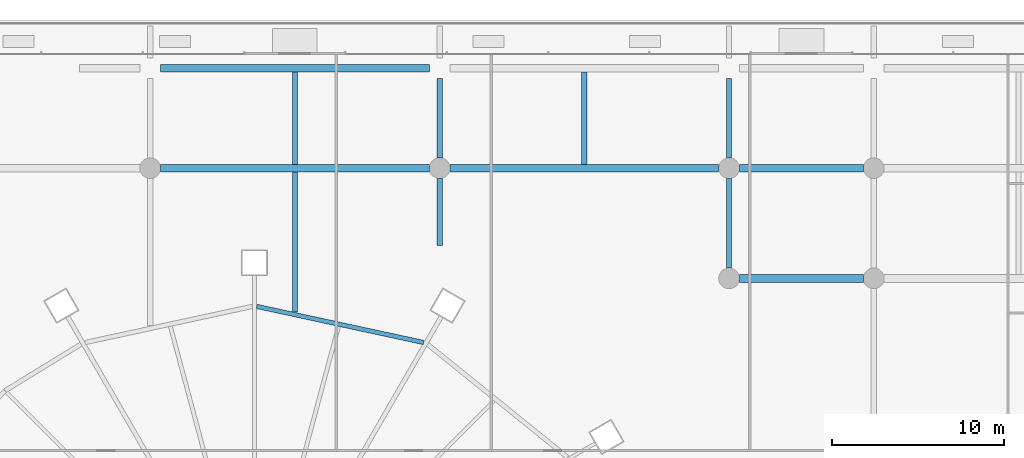
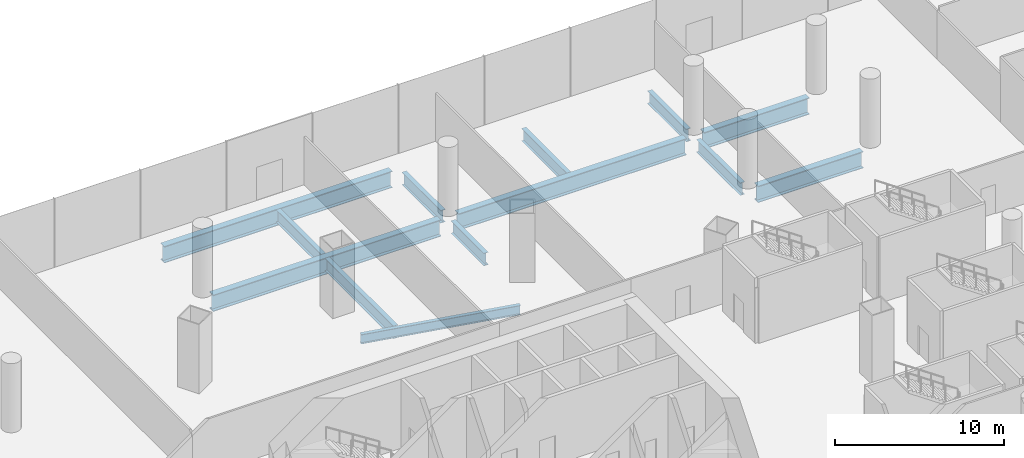
# One storey, part 24 of 51: 13 beams.
"""IFC4 building model written with IfcOpenShell, lengths in metres."""

from ifc_helpers import new_model, si_unit, direction, frame, origin, origin_2d, place, context, subcontext, project, spatial, i_section, extrude, material, material_profile, profile_set, type_object, element, save


model = new_model("IFC4")

# Units and contexts
model_context = context("Model", 3, precision=1e-05, world=origin(), true_north=direction((0.0, 1.0)))
body_context = subcontext(model_context, "Body", "Model", "MODEL_VIEW")
ifc_project = project(units=[si_unit("LENGTHUNIT", "METRE"), si_unit("AREAUNIT", "SQUARE_METRE"), si_unit("VOLUMEUNIT", "CUBIC_METRE"), si_unit("PLANEANGLEUNIT", "RADIAN"), si_unit("MASSUNIT", "GRAM", prefix="KILO")], contexts=[model_context])

# Site, building, storey
site_placement = place(None, origin())
site = spatial("IfcSite", under=ifc_project, at=site_placement, CompositionType="ELEMENT")
building_placement = place(site_placement, origin())
building = spatial("IfcBuilding", under=site, at=building_placement, Name="Rimbun Link Towers", CompositionType="ELEMENT")
storey_placement = place(building_placement, frame((0.0, 0.0, 7.0)))
storey = spatial("IfcBuildingStorey", under=building, at=storey_placement, Name="L01", CompositionType="ELEMENT", Elevation=7.0)

# Beams
ifc_material_1 = material(Name="Steel S355J2", Category="steel")
ifc_material_profile_1 = material_profile(ifc_material_1, i_section(OverallWidth=0.449951171875, OverallDepth=1.199951171875, WebThickness=0.030029296875, FlangeThickness=0.044921875, at=origin_2d()), Name="PG 1200x450x30/45")
ifc_profile_set_1 = profile_set([ifc_material_profile_1], Name="Steel S355J2")
beam_type_1 = type_object("IfcBeamType", Name="PG 1200x450x30/45", PredefinedType="BEAM", material=ifc_profile_set_1)
beam_1_placement = place(storey_placement, frame((-3.60009765625, 21.0, -0.89990234375), z_axis=(1.0, 0.0, 0.0), x_axis=(0.0, 1.0, 0.0)))
element("IfcBeam", 1, at=beam_1_placement, inside=storey, type_object=beam_type_1, Name="Grid beam L01 +21.0", PredefinedType="BEAM", context=body_context, shape_type="SweptSolid", body=[
    extrude(i_section(OverallWidth=0.449951171875, OverallDepth=1.199951171875, WebThickness=0.030029296875, FlangeThickness=0.044921875, at=origin_2d()), origin(), (0.0, 0.0, 1.0), 7.2001953125),
])
for number, where, z_axis, x_axis, name in (
    (2, (-37.199951171875, 27.39990234375, -0.89990234375), (1.0, 0.0, 0.0), (0.0, 1.0, 0.0), "Grid beam L01 +27.4"),
    (3, (-20.39990234375, 27.39990234375, -0.89990234375), (1.0, 0.0, 0.0), (0.0, 1.0, 0.0), "Grid beam L01 +27.4"),
):
    element("IfcBeam", number, at=place(storey_placement, frame(where, z_axis=z_axis, x_axis=x_axis)), inside=storey, type_object=beam_type_1, Name=name, PredefinedType="BEAM", context=body_context, shape_type="SweptSolid", body=[
        extrude(i_section(OverallWidth=0.449951171875, OverallDepth=1.199951171875, WebThickness=0.030029296875, FlangeThickness=0.044921875, at=origin_2d()), origin(), (0.0, 0.0, 1.0), 15.599853515625),
    ])
beam_2_placement = place(storey_placement, frame((-3.60009765625, 27.39990234375, -0.89990234375), z_axis=(1.0, 0.0, 0.0), x_axis=(0.0, 1.0, 0.0)))
element("IfcBeam", 4, at=beam_2_placement, inside=storey, type_object=beam_type_1, Name="Grid beam L01 +27.4", PredefinedType="BEAM", context=body_context, shape_type="SweptSolid", body=[
    extrude(i_section(OverallWidth=0.449951171875, OverallDepth=1.199951171875, WebThickness=0.030029296875, FlangeThickness=0.044921875, at=origin_2d()), origin(), (0.0, 0.0, 1.0), 7.2001953125),
])
beam_3_placement = place(storey_placement, frame((-37.199951171875, 33.199951171875, -0.89990234375), z_axis=(1.0, 0.0, 0.0), x_axis=(0.0, 1.0, 0.0)))
element("IfcBeam", 5, at=beam_3_placement, inside=storey, type_object=beam_type_1, Name="Grid beam L01 +33.2", PredefinedType="BEAM", context=body_context, shape_type="SweptSolid", body=[
    extrude(i_section(OverallWidth=0.449951171875, OverallDepth=1.199951171875, WebThickness=0.030029296875, FlangeThickness=0.044921875, at=origin_2d()), origin(), (0.0, 0.0, 1.0), 15.599853515625),
])
ifc_material_2 = material(Name="Steel S355J2", Category="steel")
ifc_material_profile_2 = material_profile(ifc_material_2, i_section(OverallWidth=0.253662109375, OverallDepth=0.68359375, WebThickness=0.012451171875, FlangeThickness=0.01904296875, at=origin_2d()), Name="UB 686x254x140")
ifc_profile_set_2 = profile_set([ifc_material_profile_2], Name="Steel S355J2")
beam_type_2 = type_object("IfcBeamType", Name="UB 686x254x140", PredefinedType="BEAM", material=ifc_profile_set_2)
beam_4_placement = place(storey_placement, frame((-21.922607421875, 17.27685546875, -0.641845703125), z_axis=(-0.977390124833, 0.211443949734, 0.0), x_axis=(-0.211443949734, -0.977390124833, 0.0)))
element("IfcBeam", 6, at=beam_4_placement, inside=storey, type_object=beam_type_2, Name="Edge beam T1 L01 04-06", PredefinedType="BEAM", context=body_context, shape_type="SweptSolid", body=[
    extrude(i_section(OverallWidth=0.253662109375, OverallDepth=0.68359375, WebThickness=0.012451171875, FlangeThickness=0.01904296875, at=origin_2d()), origin(), (0.0, 0.0, 1.0), 9.924072265625),
])
ifc_material_3 = material(Name="Steel S355J2", Category="steel")
ifc_material_profile_3 = material_profile(ifc_material_3, i_section(OverallWidth=0.305419921875, OverallDepth=0.91845703125, WebThickness=0.017333984375, FlangeThickness=0.02783203125, at=origin_2d()), Name="UB 914x305x253")
ifc_profile_set_3 = profile_set([ifc_material_profile_3], Name="Steel S355J2")
beam_type_3 = type_object("IfcBeamType", Name="UB 914x305x253", PredefinedType="BEAM", material=ifc_profile_set_3)
beam_5_placement = place(storey_placement, frame((-29.39990234375, 19.058349609375, -0.75927734375), z_axis=(0.0, 1.0, 0.0), x_axis=(-1.0, 0.0, 0.0)))
element("IfcBeam", 7, at=beam_5_placement, inside=storey, type_object=beam_type_3, Name="Grid beam L01 -29.4", PredefinedType="BEAM", context=body_context, shape_type="SweptSolid", body=[
    extrude(i_section(OverallWidth=0.305419921875, OverallDepth=0.91845703125, WebThickness=0.017333984375, FlangeThickness=0.02783203125, at=origin_2d()), origin(), (0.0, 0.0, 1.0), 8.11669921875),
])
beam_6_placement = place(storey_placement, frame((-29.39990234375, 27.625, -0.75927734375), z_axis=(0.0, 1.0, 0.0), x_axis=(-1.0, 0.0, 0.0)))
element("IfcBeam", 8, at=beam_6_placement, inside=storey, type_object=beam_type_3, Name="Grid beam L01 -29.4", PredefinedType="BEAM", context=body_context, shape_type="SweptSolid", body=[
    extrude(i_section(OverallWidth=0.305419921875, OverallDepth=0.91845703125, WebThickness=0.017333984375, FlangeThickness=0.02783203125, at=origin_2d()), origin(), (0.0, 0.0, 1.0), 5.35009765625),
])
beam_7_placement = place(storey_placement, frame((-21.0, 22.89990234375, -0.75927734375), z_axis=(0.0, 1.0, 0.0), x_axis=(-1.0, 0.0, 0.0)))
element("IfcBeam", 9, at=beam_7_placement, inside=storey, type_object=beam_type_3, Name="Grid beam L01 -21.0", PredefinedType="BEAM", context=body_context, shape_type="SweptSolid", body=[
    extrude(i_section(OverallWidth=0.305419921875, OverallDepth=0.91845703125, WebThickness=0.017333984375, FlangeThickness=0.02783203125, at=origin_2d()), origin(), (0.0, 0.0, 1.0), 3.900146484375),
])
beam_8_placement = place(storey_placement, frame((-21.0, 28.0, -0.75927734375), z_axis=(0.0, 1.0, 0.0), x_axis=(-1.0, 0.0, 0.0)))
element("IfcBeam", 10, at=beam_8_placement, inside=storey, type_object=beam_type_3, Name="Grid beam L01 -21.0", PredefinedType="BEAM", context=body_context, shape_type="SweptSolid", body=[
    extrude(i_section(OverallWidth=0.305419921875, OverallDepth=0.91845703125, WebThickness=0.017333984375, FlangeThickness=0.02783203125, at=origin_2d()), origin(), (0.0, 0.0, 1.0), 4.60009765625),
])
beam_9_placement = place(storey_placement, frame((-12.60009765625, 27.625, -0.75927734375), z_axis=(0.0, 1.0, 0.0), x_axis=(-1.0, 0.0, 0.0)))
element("IfcBeam", 11, at=beam_9_placement, inside=storey, type_object=beam_type_3, Name="Grid beam L01 -12.6", PredefinedType="BEAM", context=body_context, shape_type="SweptSolid", body=[
    extrude(i_section(OverallWidth=0.305419921875, OverallDepth=0.91845703125, WebThickness=0.017333984375, FlangeThickness=0.02783203125, at=origin_2d()), origin(), (0.0, 0.0, 1.0), 5.35009765625),
])
beam_10_placement = place(storey_placement, frame((-4.199951171875, 21.60009765625, -0.75927734375), z_axis=(0.0, 1.0, 0.0), x_axis=(-1.0, 0.0, 0.0)))
element("IfcBeam", 12, at=beam_10_placement, inside=storey, type_object=beam_type_3, Name="Grid beam L01 -4.2", PredefinedType="BEAM", context=body_context, shape_type="SweptSolid", body=[
    extrude(i_section(OverallWidth=0.305419921875, OverallDepth=0.91845703125, WebThickness=0.017333984375, FlangeThickness=0.02783203125, at=origin_2d()), origin(), (0.0, 0.0, 1.0), 5.199951171875),
])
beam_11_placement = place(storey_placement, frame((-4.199951171875, 28.0, -0.75927734375), z_axis=(0.0, 1.0, 0.0), x_axis=(-1.0, 0.0, 0.0)))
element("IfcBeam", 13, at=beam_11_placement, inside=storey, type_object=beam_type_3, Name="Grid beam L01 -4.2", PredefinedType="BEAM", context=body_context, shape_type="SweptSolid", body=[
    extrude(i_section(OverallWidth=0.305419921875, OverallDepth=0.91845703125, WebThickness=0.017333984375, FlangeThickness=0.02783203125, at=origin_2d()), origin(), (0.0, 0.0, 1.0), 4.60009765625),
])

save(model, "model.ifc")
